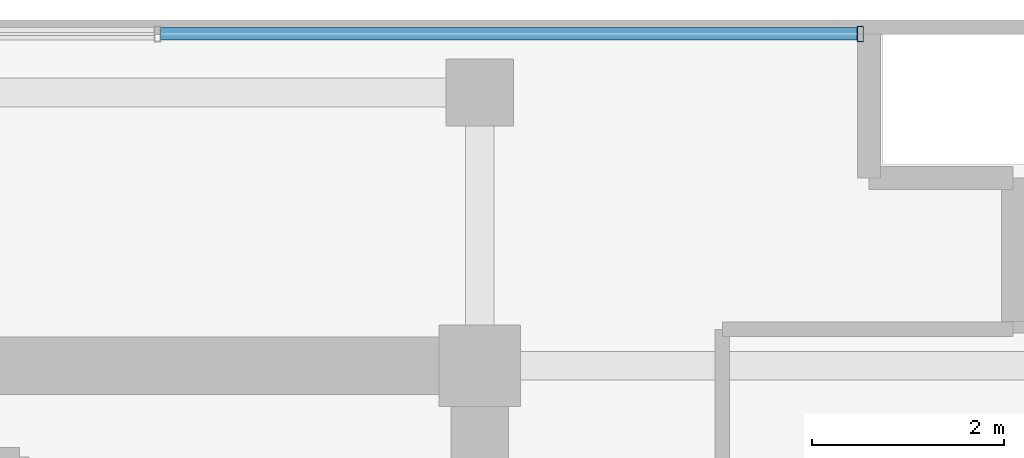
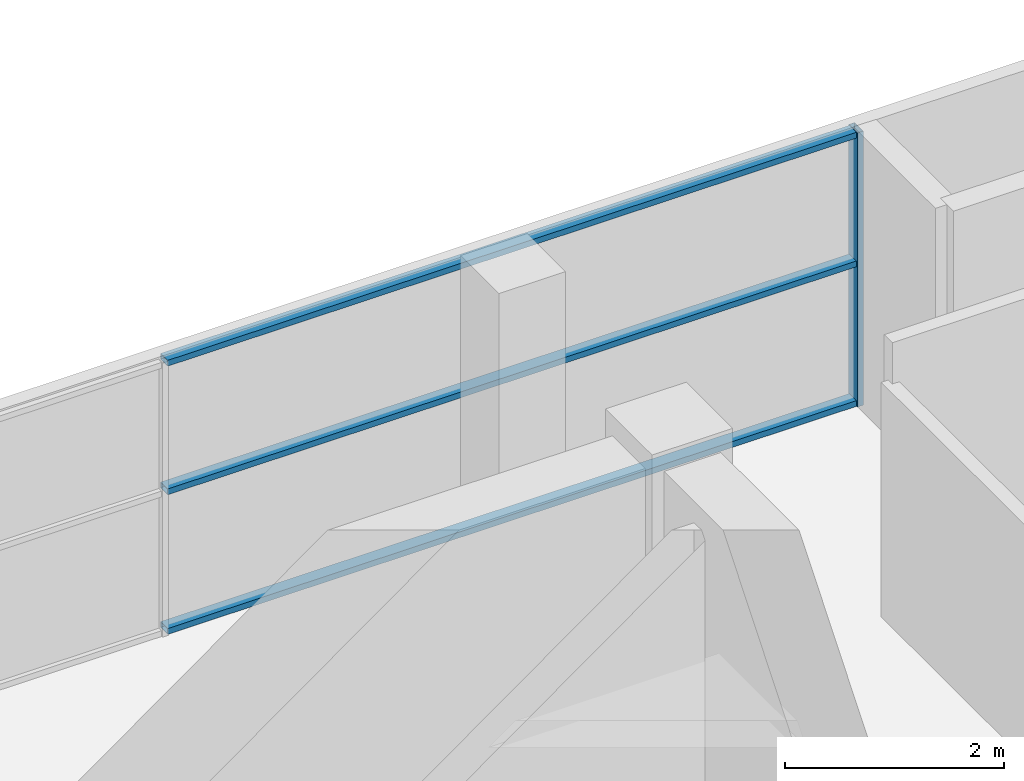
# One storey, part 21 of 29: 4 members, 1 element without a shape of its own.
"""IFC4 building model written with IfcOpenShell, lengths in metres."""

from ifc_helpers import new_model, si_unit, direction, frame, origin, origin_2d, place, context, subcontext, project, spatial, hollow_rectangle, extrude, source, transform, mapped, material, layer, layer_set, material_profile, profile_set, type_object, element, aggregate, save


model = new_model("IFC4")

# Units and contexts
model_context = context("Model", 3, precision=1e-05, world=origin(), true_north=direction((0.0, 1.0)))
body_context = subcontext(model_context, "Body", "Model", "MODEL_VIEW")
ifc_project = project(units=[si_unit("LENGTHUNIT", "METRE"), si_unit("AREAUNIT", "SQUARE_METRE"), si_unit("VOLUMEUNIT", "CUBIC_METRE"), si_unit("PLANEANGLEUNIT", "RADIAN"), si_unit("MASSUNIT", "GRAM", prefix="KILO")], contexts=[model_context])

# Site, building, storey
site_placement = place(None, origin())
site = spatial("IfcSite", under=ifc_project, at=site_placement, CompositionType="ELEMENT")
building_placement = place(site_placement, origin())
building = spatial("IfcBuilding", under=site, at=building_placement, Name="Zarnakvel Exchange Tower", CompositionType="ELEMENT")
storey_placement = place(building_placement, frame((0.0, 0.0, 265.0)))
storey = spatial("IfcBuildingStorey", under=building, at=storey_placement, Name="L75", CompositionType="ELEMENT", Elevation=265.0)

# Curtain wall, members
ifc_material = material(Name="Architectural Bronze Anodised Aluminium", Category="aluminium")
ifc_layer = layer(ifc_material, 0.159912109375)
ifc_layer_set = layer_set([ifc_layer], Name="Architectural Bronze Anodised Aluminium")
curtain_wall_type = type_object("IfcCurtainWallType", Name="CW-06", PredefinedType="NOTDEFINED", material=ifc_layer_set)
curtain_wall_placement = place(storey_placement, origin())
curtain_wall = element("IfcCurtainWall", 1, at=curtain_wall_placement, inside=storey, type_object=curtain_wall_type, Name="L75 Curtain Wall CW-L75-N1 (CW-06)", PredefinedType="NOTDEFINED")
ifc_material_profile_1 = material_profile(ifc_material, hollow_rectangle(XDim=0.1298828125, YDim=0.06494140625, WallThickness=0.00390625, at=origin_2d()))
ifc_profile_set_1 = profile_set([ifc_material_profile_1], Name="Architectural Bronze Anodised Aluminium")
member_type_1 = type_object("IfcMemberType", Name="CWT-06", PredefinedType="USERDEFINED", material=ifc_profile_set_1)
shared_shape_1 = source(origin(), body_context, "Body", "SweptSolid", [
    extrude(hollow_rectangle(XDim=0.1298828125, YDim=0.06494140625, WallThickness=0.00390625, at=origin_2d()), origin(), (0.0, 0.0, 1.0), 7.262451171875),
])
member_1_placement = place(storey_placement, frame((11.072509765625, 16.9599609375, 0.032470703125), z_axis=(1.0, 0.0, 0.0), x_axis=(0.0, 1.0, 0.0)))
member_1 = element("IfcMember", 2, at=member_1_placement, type_object=member_type_1, Name="CW-06 transom 5.1", ObjectType="TRANSOM", PredefinedType="USERDEFINED", context=body_context, shape_type="MappedRepresentation", body=[
    mapped(shared_shape_1, transform((0.0, 0.0, 0.0), x_axis=(1.0, 0.0, 0.0), y_axis=(0.0, 1.0, 0.0), z_axis=(0.0, 0.0, 1.0), scale=1.0)),
])
member_2_placement = place(storey_placement, frame((11.072509765625, 16.9599609375, 1.588623046875), z_axis=(1.0, 0.0, 0.0), x_axis=(0.0, 1.0, 0.0)))
member_2 = element("IfcMember", 3, at=member_2_placement, type_object=member_type_1, Name="CW-06 transom 5.2", ObjectType="TRANSOM", PredefinedType="USERDEFINED", context=body_context, shape_type="MappedRepresentation", body=[
    mapped(shared_shape_1, transform((0.0, 0.0, 0.0), x_axis=(1.0, 0.0, 0.0), y_axis=(0.0, 1.0, 0.0), z_axis=(0.0, 0.0, 1.0), scale=1.0)),
])
member_3_placement = place(storey_placement, frame((11.072509765625, 16.9599609375, 3.0224609375), z_axis=(1.0, 0.0, 0.0), x_axis=(0.0, 1.0, 0.0)))
member_3 = element("IfcMember", 4, at=member_3_placement, type_object=member_type_1, Name="CW-06 transom 5.3", ObjectType="TRANSOM", PredefinedType="USERDEFINED", context=body_context, shape_type="MappedRepresentation", body=[
    mapped(shared_shape_1, transform((0.0, 0.0, 0.0), x_axis=(1.0, 0.0, 0.0), y_axis=(0.0, 1.0, 0.0), z_axis=(0.0, 0.0, 1.0), scale=1.0)),
])
ifc_material_profile_2 = material_profile(ifc_material, hollow_rectangle(XDim=0.159912109375, YDim=0.06494140625, WallThickness=0.00390625, at=origin_2d()))
ifc_profile_set_2 = profile_set([ifc_material_profile_2], Name="Architectural Bronze Anodised Aluminium")
member_type_2 = type_object("IfcMemberType", Name="CWM-06", PredefinedType="MULLION", material=ifc_profile_set_2)
shared_shape_2 = source(origin(), body_context, "Body", "SweptSolid", [
    extrude(hollow_rectangle(XDim=0.159912109375, YDim=0.06494140625, WallThickness=0.00390625, at=origin_2d()), origin(), (0.0, 0.0, 1.0), 3.054931640625),
])
member_4_placement = place(storey_placement, frame((18.367431640625, 16.9599609375, 0.0), z_axis=(0.0, 0.0, 1.0), x_axis=(0.0, 1.0, 0.0)))
member_4 = element("IfcMember", 5, at=member_4_placement, type_object=member_type_2, Name="CW-06 mullion 6", PredefinedType="MULLION", context=body_context, shape_type="MappedRepresentation", body=[
    mapped(shared_shape_2, transform((0.0, 0.0, 0.0), x_axis=(1.0, 0.0, 0.0), y_axis=(0.0, 1.0, 0.0), z_axis=(0.0, 0.0, 1.0), scale=1.0)),
])
aggregate(curtain_wall, [member_4, member_1, member_2, member_3])

save(model, "model.ifc")
